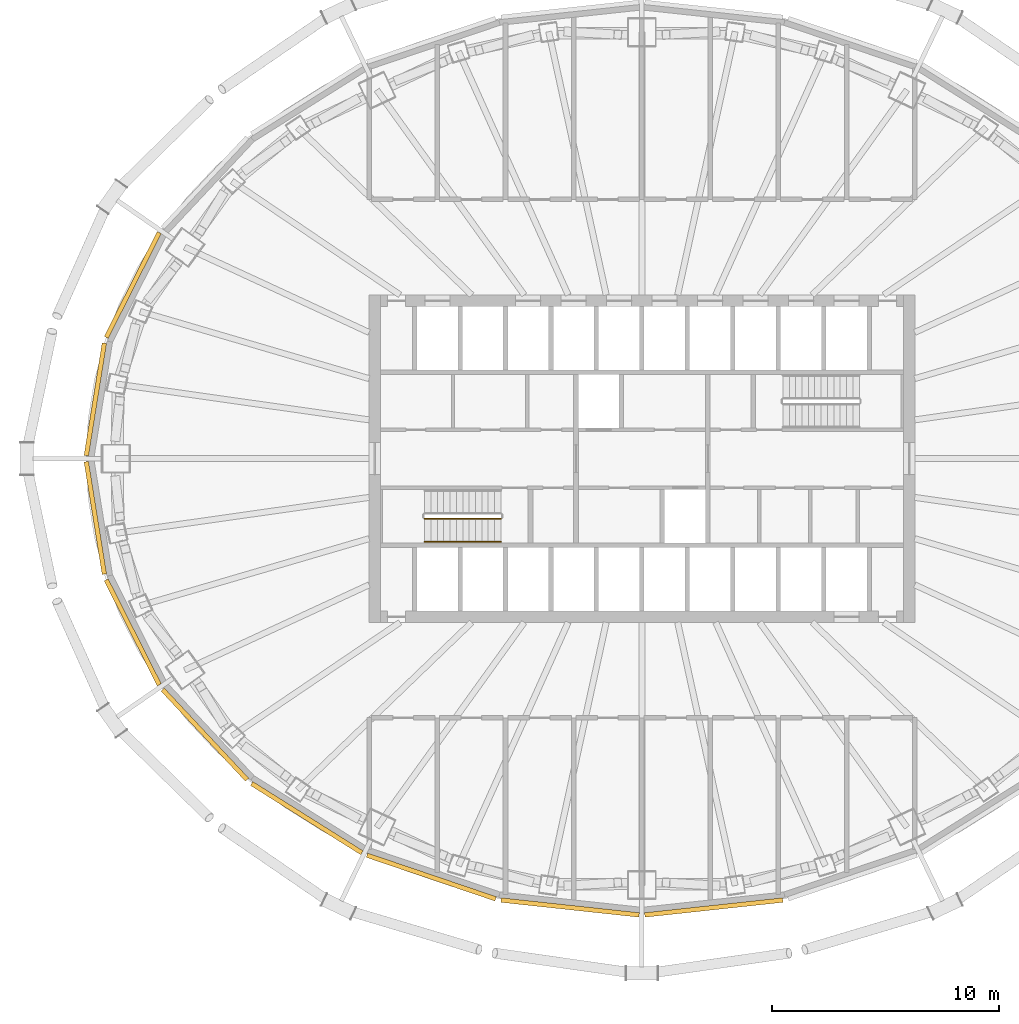
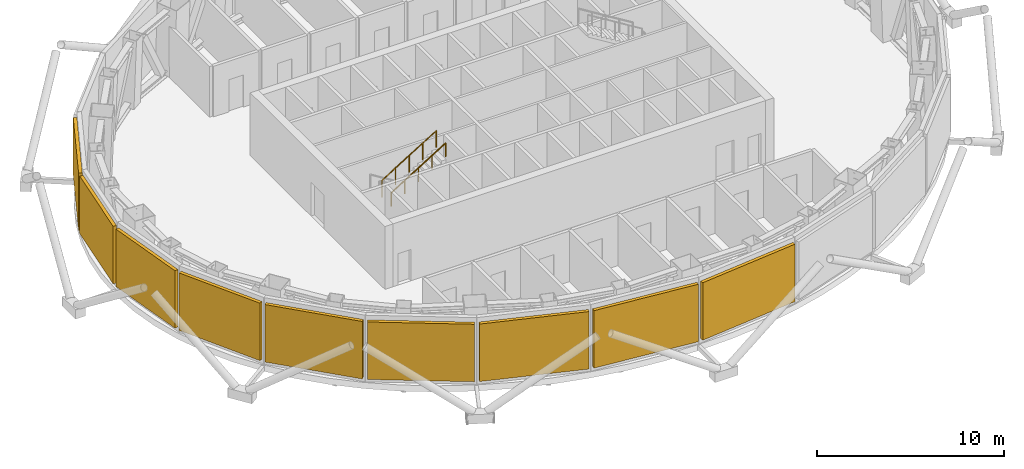
# One storey, part 13 of 16: 9 shading devices, 2 railings.
"""IFC4 building model written with IfcOpenShell, lengths in metres."""

from ifc_helpers import new_model, si_unit, direction, frame, origin, origin_2d, place, context, subcontext, project, spatial, rectangle, circle, extrude, material, layer, layer_set, type_object, element, save


model = new_model("IFC4")

# Units and contexts
model_context = context("Model", 3, precision=1e-05, world=origin(), true_north=direction((0.0, 1.0)))
body_context = subcontext(model_context, "Body", "Model", "MODEL_VIEW")
ifc_project = project(units=[si_unit("LENGTHUNIT", "METRE"), si_unit("AREAUNIT", "SQUARE_METRE"), si_unit("VOLUMEUNIT", "CUBIC_METRE"), si_unit("PLANEANGLEUNIT", "RADIAN"), si_unit("MASSUNIT", "GRAM", prefix="KILO")], contexts=[model_context])

# Site, building, storey
site_placement = place(None, origin())
site = spatial("IfcSite", under=ifc_project, at=site_placement, CompositionType="ELEMENT")
building_placement = place(site_placement, origin())
building = spatial("IfcBuilding", under=site, at=building_placement, Name="Siaravel Broadcast Tower", CompositionType="ELEMENT")
storey_placement = place(building_placement, frame((0.0, 0.0, 152.60009765625)))
storey = spatial("IfcBuildingStorey", under=building, at=storey_placement, Name="L36", CompositionType="ELEMENT", Elevation=152.60009765625)

# Shading devices
ifc_material_1 = material(Name="Bronze anodised aluminium", Category="aluminium")
ifc_layer = layer(ifc_material_1, 0.199951171875)
ifc_layer_set = layer_set([ifc_layer], Name="Bronze anodised aluminium")
shading_device_type = type_object("IfcShadingDeviceType", Name="Plant louvre bank", PredefinedType="USERDEFINED", material=ifc_layer_set)
shading_device_1_placement = place(storey_placement, frame((-22.39404296875, 7.63818359375, 0.2998046875), z_axis=(0.0, 0.0, 1.0), x_axis=(-0.451260732, -0.892392151, 0.0)))
element("IfcShadingDevice", 1, at=shading_device_1_placement, inside=storey, type_object=shading_device_type, Name="L36 plant louvre bank 11", ObjectType="LOUVRE", PredefinedType="USERDEFINED", context=body_context, shape_type="SweptSolid", body=[
    extrude(rectangle(XDim=5.168212890625, YDim=0.199951171875, at=origin_2d()), origin(), (0.0, 0.0, 1.0), 3.75),
])
for number, where, z_axis, x_axis, name in (
    (2, (-24.039794921875, 2.606689453125, 0.2998046875), (0.0, 0.0, 1.0), (-0.158685394, -0.987329198, 0.0), "L36 plant louvre bank 12"),
    (3, (-24.039794921875, -2.606689453125, 0.2998046875), (0.0, 0.0, 1.0), (0.158685394, -0.987329198, 0.0), "L36 plant louvre bank 13"),
):
    element("IfcShadingDevice", number, at=place(storey_placement, frame(where, z_axis=z_axis, x_axis=x_axis)), inside=storey, type_object=shading_device_type, Name=name, ObjectType="LOUVRE", PredefinedType="USERDEFINED", context=body_context, shape_type="SweptSolid", body=[
        extrude(rectangle(XDim=5.00830078125, YDim=0.199951171875, at=origin_2d()), origin(), (0.0, 0.0, 1.0), 3.75),
    ])
shading_device_2_placement = place(storey_placement, frame((-22.39404296875, -7.63818359375, 0.2998046875), z_axis=(0.0, 0.0, 1.0), x_axis=(0.451260732, -0.892392151, 0.0)))
element("IfcShadingDevice", 4, at=shading_device_2_placement, inside=storey, type_object=shading_device_type, Name="L36 plant louvre bank 14", ObjectType="LOUVRE", PredefinedType="USERDEFINED", context=body_context, shape_type="SweptSolid", body=[
    extrude(rectangle(XDim=5.168212890625, YDim=0.199951171875, at=origin_2d()), origin(), (0.0, 0.0, 1.0), 3.75),
])
shading_device_3_placement = place(storey_placement, frame((-19.220458984375, -12.1416015625, 0.2998046875), z_axis=(0.0, 0.0, 1.0), x_axis=(0.683654718, -0.729805608, 0.0)))
element("IfcShadingDevice", 5, at=shading_device_3_placement, inside=storey, type_object=shading_device_type, Name="L36 plant louvre bank 15", ObjectType="LOUVRE", PredefinedType="USERDEFINED", context=body_context, shape_type="SweptSolid", body=[
    extrude(rectangle(XDim=5.434814453125, YDim=0.199951171875, at=origin_2d()), origin(), (0.0, 0.0, 1.0), 3.75),
])
shading_device_4_placement = place(storey_placement, frame((-14.74072265625, -15.811279296875, 0.2998046875), z_axis=(0.0, 0.0, 1.0), x_axis=(0.846650436, -0.532149452, 0.0)))
element("IfcShadingDevice", 6, at=shading_device_4_placement, inside=storey, type_object=shading_device_type, Name="L36 plant louvre bank 16", ObjectType="LOUVRE", PredefinedType="USERDEFINED", context=body_context, shape_type="SweptSolid", body=[
    extrude(rectangle(XDim=5.727783203125, YDim=0.199951171875, at=origin_2d()), origin(), (0.0, 0.0, 1.0), 3.75),
])
shading_device_5_placement = place(storey_placement, frame((-9.262939453125, -18.402099609375, 0.2998046875), z_axis=(0.0, 0.0, 1.0), x_axis=(0.946977245, -0.321300635, 0.0)))
element("IfcShadingDevice", 7, at=shading_device_5_placement, inside=storey, type_object=shading_device_type, Name="L36 plant louvre bank 17", ObjectType="LOUVRE", PredefinedType="USERDEFINED", context=body_context, shape_type="SweptSolid", body=[
    extrude(rectangle(XDim=5.97021484375, YDim=0.199951171875, at=origin_2d()), origin(), (0.0, 0.0, 1.0), 3.75),
])
for number, where, z_axis, x_axis, name in (
    (8, (-3.15869140625, -19.7421875, 0.2998046875), (0.0, 0.0, 1.0), (0.994235667, -0.107216783, 0.0), "L36 plant louvre bank 18"),
    (9, (3.15869140625, -19.7421875, 0.2998046875), (0.0, 0.0, 1.0), (0.994235667, 0.107216783, 0.0), "L36 plant louvre bank 19"),
):
    element("IfcShadingDevice", number, at=place(storey_placement, frame(where, z_axis=z_axis, x_axis=x_axis)), inside=storey, type_object=shading_device_type, Name=name, ObjectType="LOUVRE", PredefinedType="USERDEFINED", context=body_context, shape_type="SweptSolid", body=[
        extrude(rectangle(XDim=6.10595703125, YDim=0.199951171875, at=origin_2d()), origin(), (0.0, 0.0, 1.0), 3.75),
    ])

# Railings
ifc_material_2 = material(Name="Stainless steel 316L", Category="steel")
railing_type_1 = type_object("IfcRailingType", Name="Stair guard 1100", PredefinedType="GUARDRAIL", material=ifc_material_2)
railing_1_placement = place(storey_placement, frame((-9.56005859375, -2.64990234375, 2.423095703125)))
element("IfcRailing", 10, at=railing_1_placement, inside=storey, type_object=railing_type_1, Name="L36 ST-1 stair guard 3", PredefinedType="GUARDRAIL", context=body_context, shape_type="SweptSolid", body=[
    extrude(circle(Radius=0.02392578125, at=origin_2d()), frame((0.0, 0.0, 1.076171875), z_axis=(0.850623217, 0.0, 0.525775754), x_axis=(0.0, 1.0, 0.0)), (0.0, 0.0, 1.0), 3.9501953125),
    extrude(circle(Radius=0.02099609375, at=origin_2d()), origin(), (0.0, 0.0, 1.0), 1.052001953125),
    extrude(circle(Radius=0.02099609375, at=origin_2d()), frame((0.840087890625, 0.0, 0.519287109375)), (0.0, 0.0, 1.0), 1.052001953125),
    extrude(circle(Radius=0.02099609375, at=origin_2d()), frame((1.68017578125, 0.0, 1.03857421875)), (0.0, 0.0, 1.0), 1.052001953125),
    extrude(circle(Radius=0.02099609375, at=origin_2d()), frame((2.52001953125, 0.0, 1.5576171875)), (0.0, 0.0, 1.0), 1.052001953125),
    extrude(circle(Radius=0.02099609375, at=origin_2d()), frame((3.360107421875, 0.0, 2.076904296875)), (0.0, 0.0, 1.0), 1.052001953125),
])
railing_type_2 = type_object("IfcRailingType", Name="Stair handrail 900", PredefinedType="HANDRAIL", material=ifc_material_2)
railing_2_placement = place(storey_placement, frame((-9.56005859375, -3.64990234375, 2.423095703125)))
element("IfcRailing", 11, at=railing_2_placement, inside=storey, type_object=railing_type_2, Name="L36 ST-1 stair handrail 2", PredefinedType="HANDRAIL", context=body_context, shape_type="SweptSolid", body=[
    extrude(circle(Radius=0.02392578125, at=origin_2d()), frame((0.0, 0.0, 0.8759765625), z_axis=(0.850623217, 0.0, 0.525775754), x_axis=(0.0, 1.0, 0.0)), (0.0, 0.0, 1.0), 3.9501953125),
    extrude(circle(Radius=0.02099609375, at=origin_2d()), origin(), (0.0, 0.0, 1.0), 0.851806640625),
    extrude(circle(Radius=0.02099609375, at=origin_2d()), frame((0.840087890625, 0.0, 0.519287109375)), (0.0, 0.0, 1.0), 0.851806640625),
    extrude(circle(Radius=0.02099609375, at=origin_2d()), frame((1.68017578125, 0.0, 1.03857421875)), (0.0, 0.0, 1.0), 0.851806640625),
    extrude(circle(Radius=0.02099609375, at=origin_2d()), frame((2.52001953125, 0.0, 1.5576171875)), (0.0, 0.0, 1.0), 0.851806640625),
    extrude(circle(Radius=0.02099609375, at=origin_2d()), frame((3.360107421875, 0.0, 2.076904296875)), (0.0, 0.0, 1.0), 0.851806640625),
])

save(model, "model.ifc")
